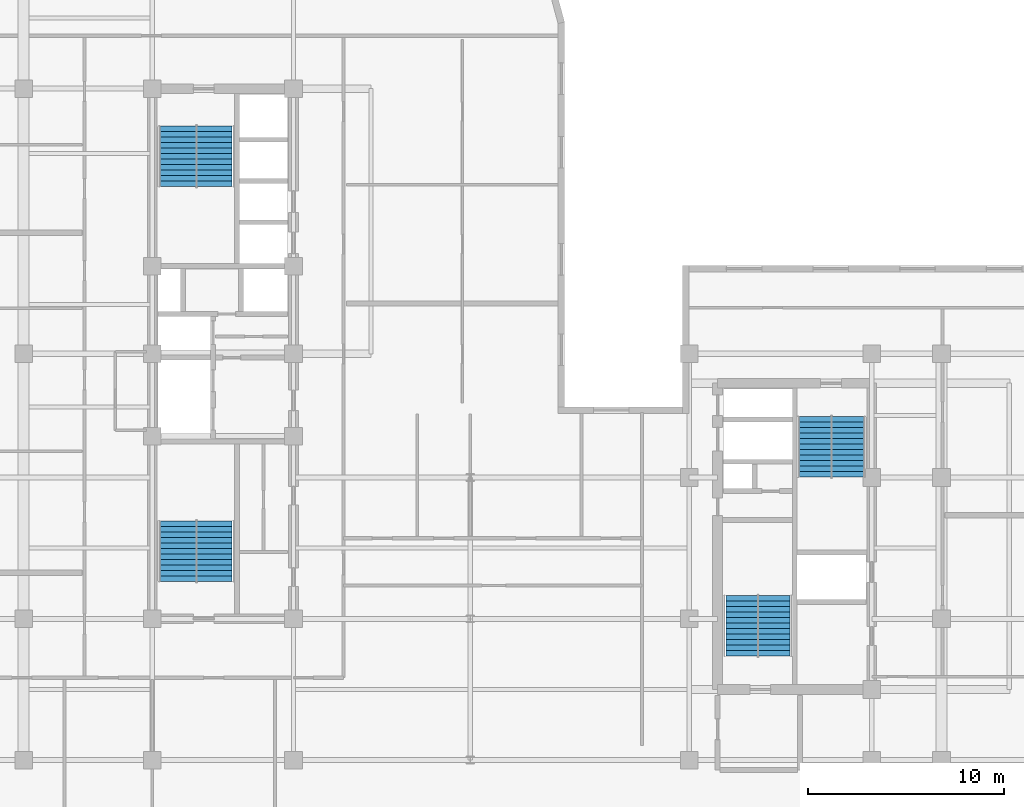
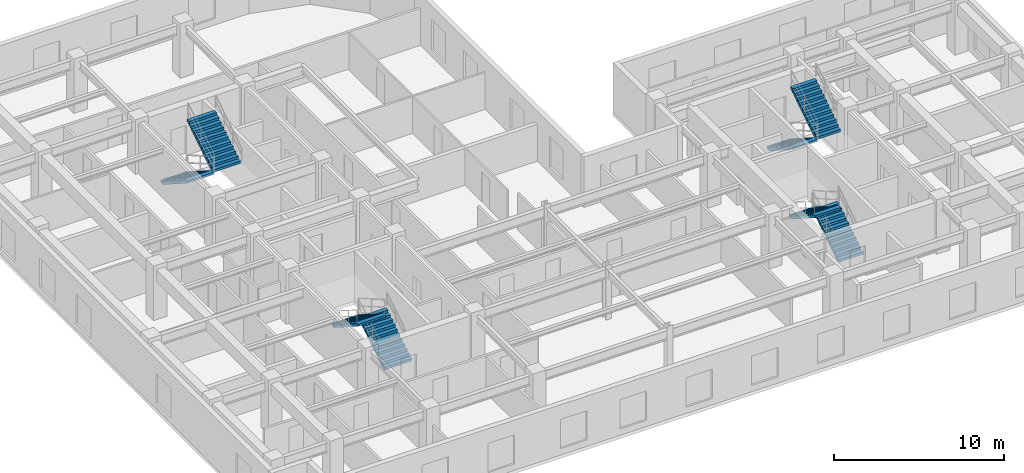
# One storey, part 8 of 11: 8 stair flights, 4 elements without a shape of their own.
"""IFC4 building model written with IfcOpenShell, lengths in metres."""

from ifc_helpers import new_model, entity, si_unit, converted_unit, direction, frame, origin_with_axes, place, context, subcontext, project, spatial, polyline, outline, extrude, material, type_object, element, aggregate, save


model = new_model("IFC4")

# Units and contexts
model_context = context("Model", 3, precision=1e-05, world=origin_with_axes(), true_north=direction((0.0, 1.0)))
body_context = subcontext(model_context, "Body", "Model", "MODEL_VIEW")
ifc_project = project(units=[si_unit("LENGTHUNIT", "METRE"), si_unit("AREAUNIT", "SQUARE_METRE"), si_unit("VOLUMEUNIT", "CUBIC_METRE"), converted_unit("PLANEANGLEUNIT", "DEGREE", entity("IfcPlaneAngleMeasure", 0.017453292519943295), si_unit("PLANEANGLEUNIT", "RADIAN"), dimensions=[0, 0, 0, 0, 0, 0, 0]), si_unit("MASSUNIT", "GRAM", prefix="KILO"), si_unit("THERMODYNAMICTEMPERATUREUNIT", "KELVIN")], contexts=[model_context])

# Site, building, storey
site_placement = place(None, origin_with_axes())
site = spatial("IfcSite", under=ifc_project, at=site_placement, CompositionType="ELEMENT")
building_placement = place(site_placement, origin_with_axes())
building = spatial("IfcBuilding", under=site, at=building_placement, Name="Varnlund Millrace Tower", CompositionType="ELEMENT")
storey_placement = place(building_placement, frame((0.0, 0.0, 216.0), z_axis=(0.0, 0.0, 1.0), x_axis=(1.0, 0.0, 0.0)))
storey = spatial("IfcBuildingStorey", under=building, at=storey_placement, Name="L53", CompositionType="ELEMENT", Elevation=216.0)

# Stair, stair flights
ifc_material_1 = material(Name="Concrete C50/60", Category="concrete")
stair_type_1 = type_object("IfcStairType", Name="Type-Stair-Dogleg-165-390", PredefinedType="HALF_TURN_STAIR", material=ifc_material_1)
stair_1_placement = place(storey_placement, origin_with_axes())
stair_1 = element("IfcStair", 1, at=stair_1_placement, inside=storey, type_object=stair_type_1, Name="Type-Stair-Dogleg-165-390", PredefinedType="HALF_TURN_STAIR")
ifc_material_2 = material(Name="Precast concrete C50/60", Category="concrete")
stair_flight_type_1 = type_object("IfcStairFlightType", Name="Type-Dogleg-Run-165-390", PredefinedType="STRAIGHT", material=ifc_material_2)
stair_flight_1_placement = place(storey_placement, frame((42.225, 8.9, 0.0), z_axis=(1.0, 0.0, 0.0), x_axis=(0.0, 1.0, 0.0)))
stair_flight_1 = element("IfcStairFlight", 2, at=stair_flight_1_placement, type_object=stair_flight_type_1, Name="ST-B1 flight 1", NumberOfRisers=11, NumberOfTreads=11, PredefinedType="STRAIGHT", RiserHeight=0.177273, TreadLength=0.28, context=body_context, shape_type="SweptSolid", body=[
    extrude(outline(polyline([(0.0, 0.0), (0.0, 0.177273), (0.28, 0.177273), (0.28, 0.354545), (0.56, 0.354545), (0.56, 0.531818), (0.84, 0.531818), (0.84, 0.709091), (1.12, 0.709091), (1.12, 0.886364), (1.4, 0.886364), (1.4, 1.063636), (1.68, 1.063636), (1.68, 1.240909), (1.96, 1.240909), (1.96, 1.418182), (2.24, 1.418182), (2.24, 1.595454), (2.52, 1.595454), (2.52, 1.772727), (2.8, 1.772727), (2.8, 1.95), (3.08, 1.95), (3.08, 1.8), (0.28, 0.0), (0.0, 0.0)])), origin_with_axes(), (0.0, 0.0, 1.0), 1.65),
])
stair_flight_2_placement = place(storey_placement, frame((42.275, 11.98, 1.95), z_axis=(-1.0, 0.0, 0.0), x_axis=(0.0, -1.0, 0.0)))
stair_flight_2 = element("IfcStairFlight", 3, at=stair_flight_2_placement, type_object=stair_flight_type_1, Name="ST-B1 flight 2", NumberOfRisers=11, NumberOfTreads=11, PredefinedType="STRAIGHT", RiserHeight=0.177273, TreadLength=0.28, context=body_context, shape_type="SweptSolid", body=[
    extrude(outline(polyline([(0.0, 0.0), (0.0, 0.177273), (0.28, 0.177273), (0.28, 0.354545), (0.56, 0.354545), (0.56, 0.531818), (0.84, 0.531818), (0.84, 0.709091), (1.12, 0.709091), (1.12, 0.886364), (1.4, 0.886364), (1.4, 1.063636), (1.68, 1.063636), (1.68, 1.240909), (1.96, 1.240909), (1.96, 1.418182), (2.24, 1.418182), (2.24, 1.595454), (2.52, 1.595454), (2.52, 1.772727), (2.8, 1.772727), (2.8, 1.95), (3.08, 1.95), (3.08, 1.8), (0.28, 0.0), (0.0, 0.0)])), origin_with_axes(), (0.0, 0.0, 1.0), 1.65),
])
aggregate(stair_1, [stair_flight_1, stair_flight_2])

stair_2_placement = place(storey_placement, origin_with_axes())
stair_2 = element("IfcStair", 4, at=stair_2_placement, inside=storey, type_object=stair_type_1, Name="Type-Stair-Dogleg-165-390", PredefinedType="HALF_TURN_STAIR")
stair_flight_3_placement = place(storey_placement, frame((46.025, 21.1, 0.0), z_axis=(-1.0, 0.0, 0.0), x_axis=(0.0, -1.0, 0.0)))
stair_flight_3 = element("IfcStairFlight", 5, at=stair_flight_3_placement, type_object=stair_flight_type_1, Name="ST-B2 flight 1", NumberOfRisers=11, NumberOfTreads=11, PredefinedType="STRAIGHT", RiserHeight=0.177273, TreadLength=0.28, context=body_context, shape_type="SweptSolid", body=[
    extrude(outline(polyline([(0.0, 0.0), (0.0, 0.177273), (0.28, 0.177273), (0.28, 0.354545), (0.56, 0.354545), (0.56, 0.531818), (0.84, 0.531818), (0.84, 0.709091), (1.12, 0.709091), (1.12, 0.886364), (1.4, 0.886364), (1.4, 1.063636), (1.68, 1.063636), (1.68, 1.240909), (1.96, 1.240909), (1.96, 1.418182), (2.24, 1.418182), (2.24, 1.595454), (2.52, 1.595454), (2.52, 1.772727), (2.8, 1.772727), (2.8, 1.95), (3.08, 1.95), (3.08, 1.8), (0.28, 0.0), (0.0, 0.0)])), origin_with_axes(), (0.0, 0.0, 1.0), 1.65),
])
stair_flight_4_placement = place(storey_placement, frame((45.975, 18.02, 1.95), z_axis=(1.0, 0.0, 0.0), x_axis=(0.0, 1.0, 0.0)))
stair_flight_4 = element("IfcStairFlight", 6, at=stair_flight_4_placement, type_object=stair_flight_type_1, Name="ST-B2 flight 2", NumberOfRisers=11, NumberOfTreads=11, PredefinedType="STRAIGHT", RiserHeight=0.177273, TreadLength=0.28, context=body_context, shape_type="SweptSolid", body=[
    extrude(outline(polyline([(0.0, 0.0), (0.0, 0.177273), (0.28, 0.177273), (0.28, 0.354545), (0.56, 0.354545), (0.56, 0.531818), (0.84, 0.531818), (0.84, 0.709091), (1.12, 0.709091), (1.12, 0.886364), (1.4, 0.886364), (1.4, 1.063636), (1.68, 1.063636), (1.68, 1.240909), (1.96, 1.240909), (1.96, 1.418182), (2.24, 1.418182), (2.24, 1.595454), (2.52, 1.595454), (2.52, 1.772727), (2.8, 1.772727), (2.8, 1.95), (3.08, 1.95), (3.08, 1.8), (0.28, 0.0), (0.0, 0.0)])), origin_with_axes(), (0.0, 0.0, 1.0), 1.65),
])
aggregate(stair_2, [stair_flight_3, stair_flight_4])

stair_type_2 = type_object("IfcStairType", Name="Type-Stair-Dogleg-185-390", PredefinedType="HALF_TURN_STAIR", material=ifc_material_1)
stair_3_placement = place(storey_placement, origin_with_axes())
stair_3 = element("IfcStair", 7, at=stair_3_placement, inside=storey, type_object=stair_type_2, Name="Type-Stair-Dogleg-185-390", PredefinedType="HALF_TURN_STAIR")
stair_flight_type_2 = type_object("IfcStairFlightType", Name="Type-Dogleg-Run-185-390", PredefinedType="STRAIGHT", material=ifc_material_2)
stair_flight_5_placement = place(storey_placement, frame((13.625, 12.7, 0.0), z_axis=(1.0, 0.0, 0.0), x_axis=(0.0, 1.0, 0.0)))
stair_flight_5 = element("IfcStairFlight", 8, at=stair_flight_5_placement, type_object=stair_flight_type_2, Name="ST-A1 flight 1", NumberOfRisers=11, NumberOfTreads=11, PredefinedType="STRAIGHT", RiserHeight=0.177273, TreadLength=0.28, context=body_context, shape_type="SweptSolid", body=[
    extrude(outline(polyline([(0.0, 0.0), (0.0, 0.177273), (0.28, 0.177273), (0.28, 0.354545), (0.56, 0.354545), (0.56, 0.531818), (0.84, 0.531818), (0.84, 0.709091), (1.12, 0.709091), (1.12, 0.886364), (1.4, 0.886364), (1.4, 1.063636), (1.68, 1.063636), (1.68, 1.240909), (1.96, 1.240909), (1.96, 1.418182), (2.24, 1.418182), (2.24, 1.595454), (2.52, 1.595454), (2.52, 1.772727), (2.8, 1.772727), (2.8, 1.95), (3.08, 1.95), (3.08, 1.8), (0.28, 0.0), (0.0, 0.0)])), origin_with_axes(), (0.0, 0.0, 1.0), 1.85),
])
stair_flight_6_placement = place(storey_placement, frame((13.675, 15.78, 1.95), z_axis=(-1.0, 0.0, 0.0), x_axis=(0.0, -1.0, 0.0)))
stair_flight_6 = element("IfcStairFlight", 9, at=stair_flight_6_placement, type_object=stair_flight_type_2, Name="ST-A1 flight 2", NumberOfRisers=11, NumberOfTreads=11, PredefinedType="STRAIGHT", RiserHeight=0.177273, TreadLength=0.28, context=body_context, shape_type="SweptSolid", body=[
    extrude(outline(polyline([(0.0, 0.0), (0.0, 0.177273), (0.28, 0.177273), (0.28, 0.354545), (0.56, 0.354545), (0.56, 0.531818), (0.84, 0.531818), (0.84, 0.709091), (1.12, 0.709091), (1.12, 0.886364), (1.4, 0.886364), (1.4, 1.063636), (1.68, 1.063636), (1.68, 1.240909), (1.96, 1.240909), (1.96, 1.418182), (2.24, 1.418182), (2.24, 1.595454), (2.52, 1.595454), (2.52, 1.772727), (2.8, 1.772727), (2.8, 1.95), (3.08, 1.95), (3.08, 1.8), (0.28, 0.0), (0.0, 0.0)])), origin_with_axes(), (0.0, 0.0, 1.0), 1.85),
])
aggregate(stair_3, [stair_flight_5, stair_flight_6])

stair_4_placement = place(storey_placement, origin_with_axes())
stair_4 = element("IfcStair", 10, at=stair_4_placement, inside=storey, type_object=stair_type_2, Name="Type-Stair-Dogleg-185-390", PredefinedType="HALF_TURN_STAIR")
stair_flight_7_placement = place(storey_placement, frame((13.675, 35.9, 0.0), z_axis=(-1.0, 0.0, 0.0), x_axis=(0.0, -1.0, 0.0)))
stair_flight_7 = element("IfcStairFlight", 11, at=stair_flight_7_placement, type_object=stair_flight_type_2, Name="ST-A2 flight 1", NumberOfRisers=11, NumberOfTreads=11, PredefinedType="STRAIGHT", RiserHeight=0.177273, TreadLength=0.28, context=body_context, shape_type="SweptSolid", body=[
    extrude(outline(polyline([(0.0, 0.0), (0.0, 0.177273), (0.28, 0.177273), (0.28, 0.354545), (0.56, 0.354545), (0.56, 0.531818), (0.84, 0.531818), (0.84, 0.709091), (1.12, 0.709091), (1.12, 0.886364), (1.4, 0.886364), (1.4, 1.063636), (1.68, 1.063636), (1.68, 1.240909), (1.96, 1.240909), (1.96, 1.418182), (2.24, 1.418182), (2.24, 1.595454), (2.52, 1.595454), (2.52, 1.772727), (2.8, 1.772727), (2.8, 1.95), (3.08, 1.95), (3.08, 1.8), (0.28, 0.0), (0.0, 0.0)])), origin_with_axes(), (0.0, 0.0, 1.0), 1.85),
])
stair_flight_8_placement = place(storey_placement, frame((13.625, 32.82, 1.95), z_axis=(1.0, 0.0, 0.0), x_axis=(0.0, 1.0, 0.0)))
stair_flight_8 = element("IfcStairFlight", 12, at=stair_flight_8_placement, type_object=stair_flight_type_2, Name="ST-A2 flight 2", NumberOfRisers=11, NumberOfTreads=11, PredefinedType="STRAIGHT", RiserHeight=0.177273, TreadLength=0.28, context=body_context, shape_type="SweptSolid", body=[
    extrude(outline(polyline([(0.0, 0.0), (0.0, 0.177273), (0.28, 0.177273), (0.28, 0.354545), (0.56, 0.354545), (0.56, 0.531818), (0.84, 0.531818), (0.84, 0.709091), (1.12, 0.709091), (1.12, 0.886364), (1.4, 0.886364), (1.4, 1.063636), (1.68, 1.063636), (1.68, 1.240909), (1.96, 1.240909), (1.96, 1.418182), (2.24, 1.418182), (2.24, 1.595454), (2.52, 1.595454), (2.52, 1.772727), (2.8, 1.772727), (2.8, 1.95), (3.08, 1.95), (3.08, 1.8), (0.28, 0.0), (0.0, 0.0)])), origin_with_axes(), (0.0, 0.0, 1.0), 1.85),
])
aggregate(stair_4, [stair_flight_7, stair_flight_8])

save(model, "model.ifc")
